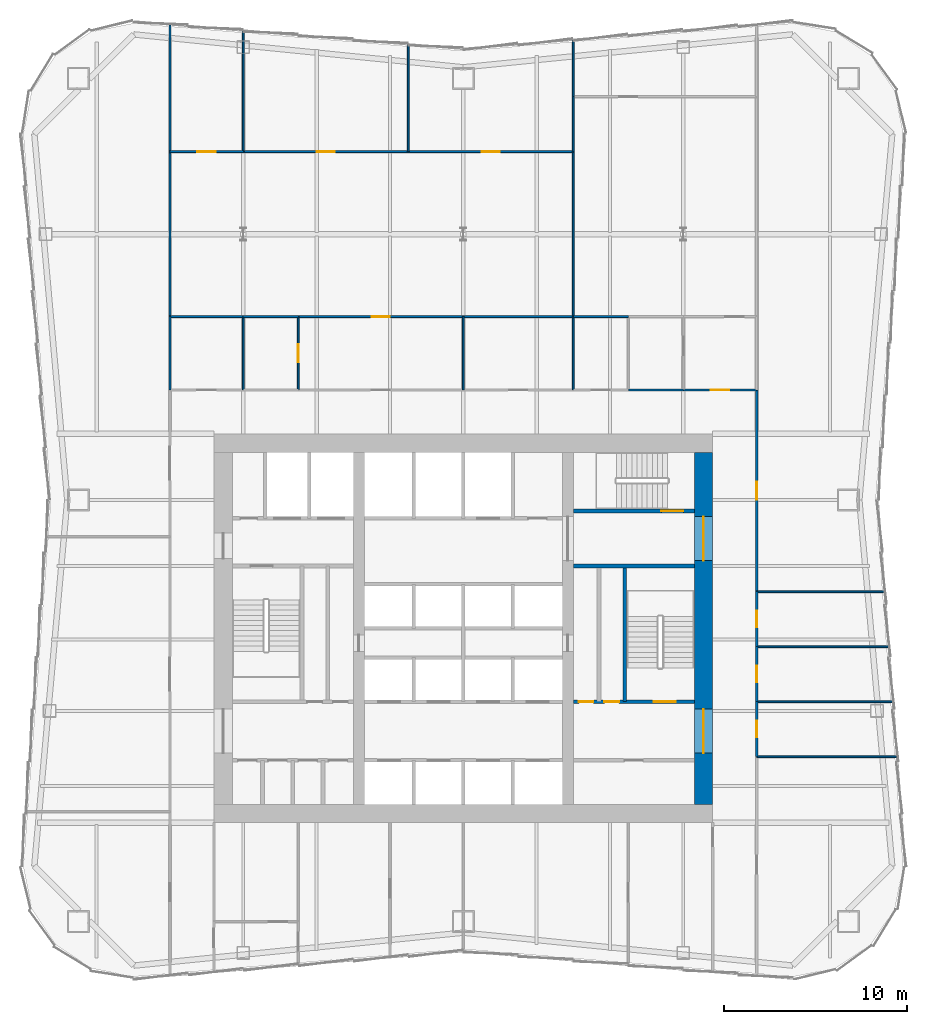
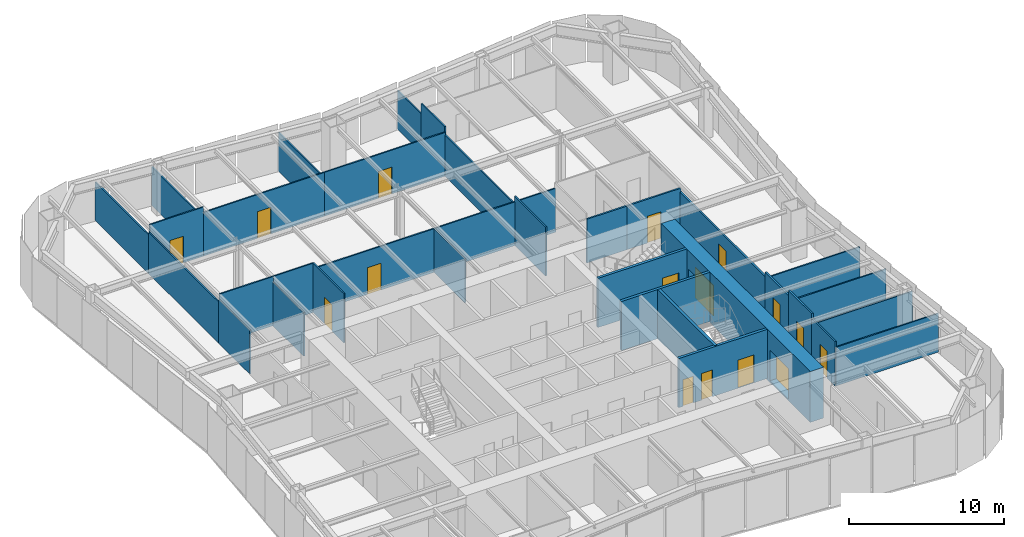
# One storey, part 6 of 8: 35 walls, 16 doors, 16 openings.
"""IFC4 building model written with IfcOpenShell, lengths in metres."""

from ifc_helpers import new_model, si_unit, direction, frame, frame_2d, origin, place, context, subcontext, project, spatial, rectangle, extrude, material, layer, layer_set, type_object, element, fill, save


model = new_model("IFC4")

# Units and contexts
model_context = context("Model", 3, precision=1e-05, world=origin(), true_north=direction((0.0, 1.0)))
body_context = subcontext(model_context, "Body", "Model", "MODEL_VIEW")
ifc_project = project(units=[si_unit("LENGTHUNIT", "METRE"), si_unit("AREAUNIT", "SQUARE_METRE"), si_unit("VOLUMEUNIT", "CUBIC_METRE"), si_unit("PLANEANGLEUNIT", "RADIAN"), si_unit("MASSUNIT", "GRAM", prefix="KILO")], contexts=[model_context])

# Site, building, storey
site_placement = place(None, origin())
site = spatial("IfcSite", under=ifc_project, at=site_placement, CompositionType="ELEMENT")
building_placement = place(site_placement, origin())
building = spatial("IfcBuilding", under=site, at=building_placement, Name="Verdant Reach Tower", CompositionType="ELEMENT")
storey_placement = place(building_placement, frame((0.0, 0.0, 146.0)))
storey = spatial("IfcBuildingStorey", under=building, at=storey_placement, Name="L33", CompositionType="ELEMENT", Elevation=146.0)

# Wall, openings, doors
ifc_material_1 = material(Name="Concrete C40/50", Category="concrete")
ifc_layer_1 = layer(ifc_material_1, 0.199951171875)
ifc_layer_set_1 = layer_set([ifc_layer_1], Name="CO-WALL-STAIR")
wall_type_1 = type_object("IfcWallType", Name="CO-WALL-STAIR", PredefinedType="PARTITIONING", material=ifc_layer_set_1)
wall_1_placement = place(storey_placement, frame((6.0, 24.0, 0.0), z_axis=(0.0, 0.0, 1.0), x_axis=(1.0, 0.0, 0.0)))
wall_1 = element("IfcWall", 1, at=wall_1_placement, inside=storey, type_object=wall_type_1, Name="Stair enclosure wall, L33", PredefinedType="PARTITIONING", context=body_context, shape_type="SweptSolid", body=[
    extrude(rectangle(XDim=6.60009765625, YDim=0.199951171875, at=frame_2d((3.300048828125, 0.0))), origin(), (0.0, 0.0, 1.0), 3.8701171875),
])
opening_1_placement = place(wall_1_placement, frame((0.300048828125, 0.0, 0.0)))
opening_1 = element("IfcOpeningElement", 2, at=opening_1_placement, cuts=wall_1, Name="Opening CDN", PredefinedType="OPENING", context=body_context, shape_type="SweptSolid", body=[
    extrude(rectangle(XDim=0.800048828125, YDim=2.10009765625, at=frame_2d((0.39990234375, 1.050048828125))), frame((0.0, 0.10986328125, 0.0), z_axis=(0.0, -1.0, 0.0), x_axis=(1.0, 0.0, 0.0)), (0.0, 0.0, 1.0), 0.219970703125),
])
opening_2_placement = place(wall_1_placement, frame((1.699951171875, 0.0, 0.0)))
opening_2 = element("IfcOpeningElement", 3, at=opening_2_placement, cuts=wall_1, Name="Opening CDN", PredefinedType="OPENING", context=body_context, shape_type="SweptSolid", body=[
    extrude(rectangle(XDim=0.800048828125, YDim=2.10009765625, at=frame_2d((0.39990234375, 1.050048828125))), frame((0.0, 0.10986328125, 0.0), z_axis=(0.0, -1.0, 0.0), x_axis=(1.0, 0.0, 0.0)), (0.0, 0.0, 1.0), 0.219970703125),
])
opening_3_placement = place(wall_1_placement, frame((4.39990234375, 0.0, 0.0)))
opening_3 = element("IfcOpeningElement", 4, at=opening_3_placement, cuts=wall_1, Name="Opening SD", PredefinedType="OPENING", context=body_context, shape_type="SweptSolid", body=[
    extrude(rectangle(XDim=1.199951171875, YDim=2.199951171875, at=frame_2d((0.60009765625, 1.10009765625))), frame((0.0, 0.10986328125, 0.0), z_axis=(0.0, -1.0, 0.0), x_axis=(1.0, 0.0, 0.0)), (0.0, 0.0, 1.0), 0.219970703125),
])
ifc_material_2 = material(Name="Timber", Category="wood")
door_type_1 = type_object("IfcDoorType", Name="CO-DOOR-ROOM-NARROW", OperationType="NOTDEFINED", PredefinedType="DOOR", material=ifc_material_2)
door_1_placement = place(opening_1_placement, origin())
door_1 = element("IfcDoor", 5, at=door_1_placement, inside=storey, type_object=door_type_1, Name="Core room door, L33", OperationType="SINGLE_SWING_RIGHT", OverallHeight=2.10009765625, OverallWidth=0.800048828125, PredefinedType="DOOR", context=body_context, shape_type="SweptSolid", body=[
    extrude(rectangle(XDim=0.800048828125, YDim=2.10009765625, at=frame_2d((0.39990234375, 1.050048828125))), frame((0.0, 0.02490234375, 0.0), z_axis=(0.0, -1.0, 0.0), x_axis=(1.0, 0.0, 0.0)), (0.0, 0.0, 1.0), 0.050048828125),
])
fill(opening_1, door_1)
door_2_placement = place(opening_2_placement, origin())
door_2 = element("IfcDoor", 6, at=door_2_placement, inside=storey, type_object=door_type_1, Name="Core room door, L33", OperationType="SINGLE_SWING_LEFT", OverallHeight=2.10009765625, OverallWidth=0.800048828125, PredefinedType="DOOR", context=body_context, shape_type="SweptSolid", body=[
    extrude(rectangle(XDim=0.800048828125, YDim=2.10009765625, at=frame_2d((0.39990234375, 1.050048828125))), frame((0.0, 0.02490234375, 0.0), z_axis=(0.0, -1.0, 0.0), x_axis=(1.0, 0.0, 0.0)), (0.0, 0.0, 1.0), 0.050048828125),
])
fill(opening_2, door_2)
ifc_material_3 = material(Name="Steel", Category="steel")
door_type_2 = type_object("IfcDoorType", Name="CO-DOOR-STAIR", OperationType="NOTDEFINED", PredefinedType="DOOR", material=ifc_material_3)
door_3_placement = place(opening_3_placement, origin())
door_3 = element("IfcDoor", 7, at=door_3_placement, inside=storey, type_object=door_type_2, Name="Stair door, L33", OperationType="SINGLE_SWING_LEFT", OverallHeight=2.199951171875, OverallWidth=1.199951171875, PredefinedType="DOOR", context=body_context, shape_type="SweptSolid", body=[
    extrude(rectangle(XDim=1.199951171875, YDim=2.199951171875, at=frame_2d((0.60009765625, 1.10009765625))), frame((0.0, 0.02490234375, 0.0), z_axis=(0.0, -1.0, 0.0), x_axis=(1.0, 0.0, 0.0)), (0.0, 0.0, 1.0), 0.050048828125),
])
fill(opening_3, door_3)

# Wall
wall_2_placement = place(storey_placement, frame((6.0, 31.39990234375, 0.0), z_axis=(0.0, 0.0, 1.0), x_axis=(1.0, 0.0, 0.0)))
element("IfcWall", 8, at=wall_2_placement, inside=storey, type_object=wall_type_1, Name="Stair enclosure wall, L33", PredefinedType="PARTITIONING", context=body_context, shape_type="SweptSolid", body=[
    extrude(rectangle(XDim=6.60009765625, YDim=0.199951171875, at=frame_2d((3.300048828125, 0.0))), origin(), (0.0, 0.0, 1.0), 3.8701171875),
])

# Wall, opening, door
wall_3_placement = place(storey_placement, frame((6.0, 34.39990234375, 0.0), z_axis=(0.0, 0.0, 1.0), x_axis=(1.0, 0.0, 0.0)))
wall_3 = element("IfcWall", 9, at=wall_3_placement, inside=storey, type_object=wall_type_1, Name="Stair enclosure wall, L33", PredefinedType="PARTITIONING", context=body_context, shape_type="SweptSolid", body=[
    extrude(rectangle(XDim=6.60009765625, YDim=0.199951171875, at=frame_2d((3.300048828125, 0.0))), origin(), (0.0, 0.0, 1.0), 3.8701171875),
])
opening_4_placement = place(wall_3_placement, frame((4.800048828125, 0.0, 0.0)))
opening_4 = element("IfcOpeningElement", 10, at=opening_4_placement, cuts=wall_3, Name="Opening SD", PredefinedType="OPENING", context=body_context, shape_type="SweptSolid", body=[
    extrude(rectangle(XDim=1.199951171875, YDim=2.199951171875, at=frame_2d((0.60009765625, 1.10009765625))), frame((0.0, 0.10986328125, 0.0), z_axis=(0.0, -1.0, 0.0), x_axis=(1.0, 0.0, 0.0)), (0.0, 0.0, 1.0), 0.219970703125),
])
door_4_placement = place(opening_4_placement, origin())
door_4 = element("IfcDoor", 11, at=door_4_placement, inside=storey, type_object=door_type_2, Name="Stair door, L33", OperationType="SINGLE_SWING_RIGHT", OverallHeight=2.199951171875, OverallWidth=1.199951171875, PredefinedType="DOOR", context=body_context, shape_type="SweptSolid", body=[
    extrude(rectangle(XDim=1.199951171875, YDim=2.199951171875, at=frame_2d((0.60009765625, 1.10009765625))), frame((0.0, 0.02490234375, 0.0), z_axis=(0.0, -1.0, 0.0), x_axis=(1.0, 0.0, 0.0)), (0.0, 0.0, 1.0), 0.050048828125),
])
fill(opening_4, door_4)

# Walls
wall_4_placement = place(storey_placement, frame((8.800048828125, 24.0, 0.0), z_axis=(0.0, 0.0, 1.0), x_axis=(0.0, 1.0, 0.0)))
element("IfcWall", 12, at=wall_4_placement, inside=storey, type_object=wall_type_1, Name="Stair enclosure wall, L33", PredefinedType="PARTITIONING", context=body_context, shape_type="SweptSolid", body=[
    extrude(rectangle(XDim=7.39990234375, YDim=0.199951171875, at=frame_2d((3.699951171875, 0.0))), origin(), (0.0, 0.0, 1.0), 3.8701171875),
])
ifc_material_4 = material(Name="Gypsum board on steel studs", Category="steel")
ifc_layer_2 = layer(ifc_material_4, 0.10009765625)
ifc_layer_set_2 = layer_set([ifc_layer_2], Name="FL-W1 Partition 100")
wall_type_2 = type_object("IfcWallType", Name="FL-W1 Partition 100", PredefinedType="PARTITIONING", material=ifc_layer_set_2)
wall_5_placement = place(storey_placement, frame((-16.0, 41.0, 0.0), z_axis=(0.0, 0.0, 1.0), x_axis=(0.0, 1.0, 0.0)))
element("IfcWall", 13, at=wall_5_placement, inside=storey, type_object=wall_type_2, Name="Partition 33.21", PredefinedType="PARTITIONING", context=body_context, shape_type="SweptSolid", body=[
    extrude(rectangle(XDim=4.0, YDim=0.10009765625, at=frame_2d((2.0, 0.0))), origin(), (0.0, 0.0, 1.0), 3.43994140625),
])
wall_6_placement = place(storey_placement, frame((-16.0, 45.0, 0.0), z_axis=(0.0, 0.0, 1.0), x_axis=(0.0, 1.0, 0.0)))
element("IfcWall", 14, at=wall_6_placement, inside=storey, type_object=wall_type_2, Name="Partition 33.22", PredefinedType="PARTITIONING", context=body_context, shape_type="SweptSolid", body=[
    extrude(rectangle(XDim=9.0, YDim=0.10009765625, at=frame_2d((4.5, 0.0))), origin(), (0.0, 0.0, 1.0), 3.239990234375),
])
wall_7_placement = place(storey_placement, frame((-16.0, 54.0, 0.0), z_axis=(0.0, 0.0, 1.0), x_axis=(0.0, 1.0, 0.0)))
element("IfcWall", 15, at=wall_7_placement, inside=storey, type_object=wall_type_2, Name="Partition 33.23", PredefinedType="PARTITIONING", context=body_context, shape_type="SweptSolid", body=[
    extrude(rectangle(XDim=6.913330078125, YDim=0.10009765625, at=frame_2d((3.45654296875, 0.0))), origin(), (0.0, 0.0, 1.0), 3.0400390625),
])
wall_8_placement = place(storey_placement, frame((23.6298828125, 21.0, 0.0), z_axis=(0.0, 0.0, 1.0), x_axis=(-1.0, 0.0, 0.0)))
element("IfcWall", 16, at=wall_8_placement, inside=storey, type_object=wall_type_2, Name="Partition 33.24", PredefinedType="PARTITIONING", context=body_context, shape_type="SweptSolid", body=[
    extrude(rectangle(XDim=7.6298828125, YDim=0.10009765625, at=frame_2d((3.81494140625, 0.0))), origin(), (0.0, 0.0, 1.0), 3.0400390625),
])
wall_9_placement = place(storey_placement, frame((23.405029296875, 24.0, 0.0), z_axis=(0.0, 0.0, 1.0), x_axis=(-1.0, 0.0, 0.0)))
element("IfcWall", 17, at=wall_9_placement, inside=storey, type_object=wall_type_2, Name="Partition 33.25", PredefinedType="PARTITIONING", context=body_context, shape_type="SweptSolid", body=[
    extrude(rectangle(XDim=7.405029296875, YDim=0.10009765625, at=frame_2d((3.70263671875, 0.0))), origin(), (0.0, 0.0, 1.0), 3.0400390625),
])
wall_10_placement = place(storey_placement, frame((23.179931640625, 27.0, 0.0), z_axis=(0.0, 0.0, 1.0), x_axis=(-1.0, 0.0, 0.0)))
element("IfcWall", 18, at=wall_10_placement, inside=storey, type_object=wall_type_2, Name="Partition 33.26", PredefinedType="PARTITIONING", context=body_context, shape_type="SweptSolid", body=[
    extrude(rectangle(XDim=7.179931640625, YDim=0.10009765625, at=frame_2d((3.58984375, 0.0))), origin(), (0.0, 0.0, 1.0), 3.0400390625),
])
wall_11_placement = place(storey_placement, frame((22.955078125, 30.0, 0.0), z_axis=(0.0, 0.0, 1.0), x_axis=(-1.0, 0.0, 0.0)))
element("IfcWall", 19, at=wall_11_placement, inside=storey, type_object=wall_type_2, Name="Partition 33.27", PredefinedType="PARTITIONING", context=body_context, shape_type="SweptSolid", body=[
    extrude(rectangle(XDim=6.955078125, YDim=0.10009765625, at=frame_2d((3.4775390625, 0.0))), origin(), (0.0, 0.0, 1.0), 3.0400390625),
])
wall_12_placement = place(storey_placement, frame((-12.0, 41.0, 0.0), z_axis=(0.0, 0.0, 1.0), x_axis=(0.0, 1.0, 0.0)))
element("IfcWall", 20, at=wall_12_placement, inside=storey, type_object=wall_type_2, Name="Partition 33.37", PredefinedType="PARTITIONING", context=body_context, shape_type="SweptSolid", body=[
    extrude(rectangle(XDim=4.0, YDim=0.10009765625, at=frame_2d((2.0, 0.0))), origin(), (0.0, 0.0, 1.0), 3.43994140625),
])
wall_13_placement = place(storey_placement, frame((-11.99609375, 45.0, 0.0), z_axis=(0.0, 0.0, 1.0), x_axis=(-1.0, 0.0, 0.0)))
element("IfcWall", 21, at=wall_13_placement, inside=storey, type_object=wall_type_2, Name="Partition 33.38", PredefinedType="PARTITIONING", context=body_context, shape_type="SweptSolid", body=[
    extrude(rectangle(XDim=4.00390625, YDim=0.10009765625, at=frame_2d((2.001953125, 0.0))), origin(), (0.0, 0.0, 1.0), 3.8701171875),
])

# Wall, opening, door
wall_14_placement = place(storey_placement, frame((-9.0, 41.0, 0.0), z_axis=(0.0, 0.0, 1.0), x_axis=(0.0, 1.0, 0.0)))
wall_14 = element("IfcWall", 22, at=wall_14_placement, inside=storey, type_object=wall_type_2, Name="Partition 33.39", PredefinedType="PARTITIONING", context=body_context, shape_type="SweptSolid", body=[
    extrude(rectangle(XDim=4.0, YDim=0.10009765625, at=frame_2d((2.0, 0.0))), origin(), (0.0, 0.0, 1.0), 3.8701171875),
])
opening_5_placement = place(wall_14_placement, frame((1.5, 0.0, 0.0)))
opening_5 = element("IfcOpeningElement", 23, at=opening_5_placement, cuts=wall_14, Name="Opening D3", PredefinedType="OPENING", context=body_context, shape_type="SweptSolid", body=[
    extrude(rectangle(XDim=1.0, YDim=2.10009765625, at=frame_2d((0.5, 1.050048828125))), frame((0.0, 0.06005859375, 0.0), z_axis=(0.0, -1.0, 0.0), x_axis=(1.0, 0.0, 0.0)), (0.0, 0.0, 1.0), 0.1201171875),
])
ifc_material_5 = material(Name="Painted timber door leaf", Category="wood")
door_type_3 = type_object("IfcDoorType", Name="FL-D3 Door 1000x2100", OperationType="NOTDEFINED", PredefinedType="DOOR", material=ifc_material_5)
door_5_placement = place(opening_5_placement, origin())
door_5 = element("IfcDoor", 24, at=door_5_placement, inside=storey, type_object=door_type_3, Name="Door 33-020", OperationType="SINGLE_SWING_RIGHT", OverallHeight=2.10009765625, OverallWidth=1.0, PredefinedType="DOOR", context=body_context, shape_type="SweptSolid", body=[
    extrude(rectangle(XDim=1.0, YDim=2.10009765625, at=frame_2d((0.5, 1.050048828125))), frame((0.0, 0.02490234375, 0.0), z_axis=(0.0, -1.0, 0.0), x_axis=(1.0, 0.0, 0.0)), (0.0, 0.0, 1.0), 0.050048828125),
])
fill(opening_5, door_5)

# Walls
wall_15_placement = place(storey_placement, frame((-8.99609375, 45.0, 0.0), z_axis=(0.0, 0.0, 1.0), x_axis=(-1.0, 0.0, 0.0)))
element("IfcWall", 25, at=wall_15_placement, inside=storey, type_object=wall_type_2, Name="Partition 33.40", PredefinedType="PARTITIONING", context=body_context, shape_type="SweptSolid", body=[
    extrude(rectangle(XDim=3.0078125, YDim=0.10009765625, at=frame_2d((1.50390625, 0.0))), origin(), (0.0, 0.0, 1.0), 3.8701171875),
])
wall_16_placement = place(storey_placement, frame((0.0, 41.0, 0.0), z_axis=(0.0, 0.0, 1.0), x_axis=(0.0, 1.0, 0.0)))
element("IfcWall", 26, at=wall_16_placement, inside=storey, type_object=wall_type_2, Name="Partition 33.41", PredefinedType="PARTITIONING", context=body_context, shape_type="SweptSolid", body=[
    extrude(rectangle(XDim=4.0, YDim=0.10009765625, at=frame_2d((2.0, 0.0))), origin(), (0.0, 0.0, 1.0), 3.43994140625),
])

# Wall, opening, door
wall_17_placement = place(storey_placement, frame((-9.00390625, 45.0, 0.0), z_axis=(0.0, 0.0, 1.0), x_axis=(1.0, 0.0, 0.0)))
wall_17 = element("IfcWall", 27, at=wall_17_placement, inside=storey, type_object=wall_type_2, Name="Partition 33.42", PredefinedType="PARTITIONING", context=body_context, shape_type="SweptSolid", body=[
    extrude(rectangle(XDim=9.0078125, YDim=0.10009765625, at=frame_2d((4.50390625, 0.0))), origin(), (0.0, 0.0, 1.0), 3.43994140625),
])
opening_6_placement = place(wall_17_placement, frame((4.00390625, 0.0, 0.0)))
opening_6 = element("IfcOpeningElement", 28, at=opening_6_placement, cuts=wall_17, Name="Opening D3", PredefinedType="OPENING", context=body_context, shape_type="SweptSolid", body=[
    extrude(rectangle(XDim=1.0, YDim=2.10009765625, at=frame_2d((0.5, 1.050048828125))), frame((0.0, 0.06005859375, 0.0), z_axis=(0.0, -1.0, 0.0), x_axis=(1.0, 0.0, 0.0)), (0.0, 0.0, 1.0), 0.1201171875),
])
door_6_placement = place(opening_6_placement, origin())
door_6 = element("IfcDoor", 29, at=door_6_placement, inside=storey, type_object=door_type_3, Name="Door 33-021", OperationType="SINGLE_SWING_LEFT", OverallHeight=2.10009765625, OverallWidth=1.0, PredefinedType="DOOR", context=body_context, shape_type="SweptSolid", body=[
    extrude(rectangle(XDim=1.0, YDim=2.10009765625, at=frame_2d((0.5, 1.050048828125))), frame((0.0, 0.02490234375, 0.0), z_axis=(0.0, -1.0, 0.0), x_axis=(1.0, 0.0, 0.0)), (0.0, 0.0, 1.0), 0.050048828125),
])
fill(opening_6, door_6)

# Walls
wall_18_placement = place(storey_placement, frame((6.0, 45.0, 0.0), z_axis=(0.0, 0.0, 1.0), x_axis=(-1.0, 0.0, 0.0)))
element("IfcWall", 30, at=wall_18_placement, inside=storey, type_object=wall_type_2, Name="Partition 33.43", PredefinedType="PARTITIONING", context=body_context, shape_type="SweptSolid", body=[
    extrude(rectangle(XDim=6.00390625, YDim=0.10009765625, at=frame_2d((3.001953125, 0.0))), origin(), (0.0, 0.0, 1.0), 3.43994140625),
])
wall_19_placement = place(storey_placement, frame((6.0, 41.0, 0.0), z_axis=(0.0, 0.0, 1.0), x_axis=(0.0, 1.0, 0.0)))
element("IfcWall", 31, at=wall_19_placement, inside=storey, type_object=wall_type_2, Name="Partition 33.44", PredefinedType="PARTITIONING", context=body_context, shape_type="SweptSolid", body=[
    extrude(rectangle(XDim=4.0, YDim=0.10009765625, at=frame_2d((2.0, 0.0))), origin(), (0.0, 0.0, 1.0), 3.8701171875),
])

# Wall, opening, door
wall_20_placement = place(storey_placement, frame((-16.0, 54.0, 0.0), z_axis=(0.0, 0.0, 1.0), x_axis=(1.0, 0.0, 0.0)))
wall_20 = element("IfcWall", 32, at=wall_20_placement, inside=storey, type_object=wall_type_2, Name="Partition 33.45", PredefinedType="PARTITIONING", context=body_context, shape_type="SweptSolid", body=[
    extrude(rectangle(XDim=4.0, YDim=0.10009765625, at=frame_2d((2.0, 0.0))), origin(), (0.0, 0.0, 1.0), 3.8701171875),
])
opening_7_placement = place(wall_20_placement, frame((1.5, 0.0, 0.0)))
opening_7 = element("IfcOpeningElement", 33, at=opening_7_placement, cuts=wall_20, Name="Opening D3", PredefinedType="OPENING", context=body_context, shape_type="SweptSolid", body=[
    extrude(rectangle(XDim=1.0, YDim=2.10009765625, at=frame_2d((0.5, 1.050048828125))), frame((0.0, 0.06005859375, 0.0), z_axis=(0.0, -1.0, 0.0), x_axis=(1.0, 0.0, 0.0)), (0.0, 0.0, 1.0), 0.1201171875),
])
door_7_placement = place(opening_7_placement, origin())
door_7 = element("IfcDoor", 34, at=door_7_placement, inside=storey, type_object=door_type_3, Name="Door 33-022", OperationType="SINGLE_SWING_RIGHT", OverallHeight=2.10009765625, OverallWidth=1.0, PredefinedType="DOOR", context=body_context, shape_type="SweptSolid", body=[
    extrude(rectangle(XDim=1.0, YDim=2.10009765625, at=frame_2d((0.5, 1.050048828125))), frame((0.0, 0.02490234375, 0.0), z_axis=(0.0, -1.0, 0.0), x_axis=(1.0, 0.0, 0.0)), (0.0, 0.0, 1.0), 0.050048828125),
])
fill(opening_7, door_7)

wall_21_placement = place(storey_placement, frame((-12.0, 54.0, 0.0), z_axis=(0.0, 0.0, 1.0), x_axis=(1.0, 0.0, 0.0)))
wall_21 = element("IfcWall", 35, at=wall_21_placement, inside=storey, type_object=wall_type_2, Name="Partition 33.46", PredefinedType="PARTITIONING", context=body_context, shape_type="SweptSolid", body=[
    extrude(rectangle(XDim=9.0, YDim=0.10009765625, at=frame_2d((4.5, 0.0))), origin(), (0.0, 0.0, 1.0), 3.43994140625),
])
opening_8_placement = place(wall_21_placement, frame((4.0, 0.0, 0.0)))
opening_8 = element("IfcOpeningElement", 36, at=opening_8_placement, cuts=wall_21, Name="Opening D3", PredefinedType="OPENING", context=body_context, shape_type="SweptSolid", body=[
    extrude(rectangle(XDim=1.0, YDim=2.10009765625, at=frame_2d((0.5, 1.050048828125))), frame((0.0, 0.06005859375, 0.0), z_axis=(0.0, -1.0, 0.0), x_axis=(1.0, 0.0, 0.0)), (0.0, 0.0, 1.0), 0.1201171875),
])
door_8_placement = place(opening_8_placement, origin())
door_8 = element("IfcDoor", 37, at=door_8_placement, inside=storey, type_object=door_type_3, Name="Door 33-023", OperationType="SINGLE_SWING_LEFT", OverallHeight=2.10009765625, OverallWidth=1.0, PredefinedType="DOOR", context=body_context, shape_type="SweptSolid", body=[
    extrude(rectangle(XDim=1.0, YDim=2.10009765625, at=frame_2d((0.5, 1.050048828125))), frame((0.0, 0.02490234375, 0.0), z_axis=(0.0, -1.0, 0.0), x_axis=(1.0, 0.0, 0.0)), (0.0, 0.0, 1.0), 0.050048828125),
])
fill(opening_8, door_8)

wall_22_placement = place(storey_placement, frame((-3.0, 54.0, 0.0), z_axis=(0.0, 0.0, 1.0), x_axis=(1.0, 0.0, 0.0)))
wall_22 = element("IfcWall", 38, at=wall_22_placement, inside=storey, type_object=wall_type_2, Name="Partition 33.47", PredefinedType="PARTITIONING", context=body_context, shape_type="SweptSolid", body=[
    extrude(rectangle(XDim=9.0, YDim=0.10009765625, at=frame_2d((4.5, 0.0))), origin(), (0.0, 0.0, 1.0), 3.43994140625),
])
opening_9_placement = place(wall_22_placement, frame((4.0, 0.0, 0.0)))
opening_9 = element("IfcOpeningElement", 39, at=opening_9_placement, cuts=wall_22, Name="Opening D3", PredefinedType="OPENING", context=body_context, shape_type="SweptSolid", body=[
    extrude(rectangle(XDim=1.0, YDim=2.10009765625, at=frame_2d((0.5, 1.050048828125))), frame((0.0, 0.06005859375, 0.0), z_axis=(0.0, -1.0, 0.0), x_axis=(1.0, 0.0, 0.0)), (0.0, 0.0, 1.0), 0.1201171875),
])
door_9_placement = place(opening_9_placement, origin())
door_9 = element("IfcDoor", 40, at=door_9_placement, inside=storey, type_object=door_type_3, Name="Door 33-024", OperationType="SINGLE_SWING_RIGHT", OverallHeight=2.10009765625, OverallWidth=1.0, PredefinedType="DOOR", context=body_context, shape_type="SweptSolid", body=[
    extrude(rectangle(XDim=1.0, YDim=2.10009765625, at=frame_2d((0.5, 1.050048828125))), frame((0.0, 0.02490234375, 0.0), z_axis=(0.0, -1.0, 0.0), x_axis=(1.0, 0.0, 0.0)), (0.0, 0.0, 1.0), 0.050048828125),
])
fill(opening_9, door_9)

# Walls
wall_23_placement = place(storey_placement, frame((6.0, 45.0, 0.0), z_axis=(0.0, 0.0, 1.0), x_axis=(0.0, 1.0, 0.0)))
element("IfcWall", 41, at=wall_23_placement, inside=storey, type_object=wall_type_2, Name="Partition 33.48", PredefinedType="PARTITIONING", context=body_context, shape_type="SweptSolid", body=[
    extrude(rectangle(XDim=9.00390625, YDim=0.10009765625, at=frame_2d((4.501953125, 0.0))), origin(), (0.0, 0.0, 1.0), 3.239990234375),
])
wall_24_placement = place(storey_placement, frame((-12.0, 54.0, 0.0), z_axis=(0.0, 0.0, 1.0), x_axis=(0.0, 1.0, 0.0)))
element("IfcWall", 42, at=wall_24_placement, inside=storey, type_object=wall_type_2, Name="Partition 33.49", PredefinedType="PARTITIONING", context=body_context, shape_type="SweptSolid", body=[
    extrude(rectangle(XDim=6.580078125, YDim=0.10009765625, at=frame_2d((3.2900390625, 0.0))), origin(), (0.0, 0.0, 1.0), 3.0400390625),
])
wall_25_placement = place(storey_placement, frame((-3.0, 54.0, 0.0), z_axis=(0.0, 0.0, 1.0), x_axis=(0.0, 1.0, 0.0)))
element("IfcWall", 43, at=wall_25_placement, inside=storey, type_object=wall_type_2, Name="Partition 33.50", PredefinedType="PARTITIONING", context=body_context, shape_type="SweptSolid", body=[
    extrude(rectangle(XDim=5.830078125, YDim=0.10009765625, at=frame_2d((2.9150390625, 0.0))), origin(), (0.0, 0.0, 1.0), 3.0400390625),
])
wall_26_placement = place(storey_placement, frame((6.0, 53.99609375, 0.0), z_axis=(0.0, 0.0, 1.0), x_axis=(0.0, 1.0, 0.0)))
element("IfcWall", 44, at=wall_26_placement, inside=storey, type_object=wall_type_2, Name="Partition 33.51", PredefinedType="PARTITIONING", context=body_context, shape_type="SweptSolid", body=[
    extrude(rectangle(XDim=3.00390625, YDim=0.10009765625, at=frame_2d((1.501953125, 0.0))), origin(), (0.0, 0.0, 1.0), 3.8701171875),
])
wall_27_placement = place(storey_placement, frame((6.0, 57.0, 0.0), z_axis=(0.0, 0.0, 1.0), x_axis=(0.0, 1.0, 0.0)))
element("IfcWall", 45, at=wall_27_placement, inside=storey, type_object=wall_type_2, Name="Partition 33.52", PredefinedType="PARTITIONING", context=body_context, shape_type="SweptSolid", body=[
    extrude(rectangle(XDim=3.080078125, YDim=0.10009765625, at=frame_2d((1.5400390625, 0.0))), origin(), (0.0, 0.0, 1.0), 3.0400390625),
])
wall_28_placement = place(storey_placement, frame((9.00390625, 45.0, 0.0), z_axis=(0.0, 0.0, 1.0), x_axis=(-1.0, 0.0, 0.0)))
element("IfcWall", 46, at=wall_28_placement, inside=storey, type_object=wall_type_2, Name="Partition 33.54", PredefinedType="PARTITIONING", context=body_context, shape_type="SweptSolid", body=[
    extrude(rectangle(XDim=3.00390625, YDim=0.10009765625, at=frame_2d((1.501953125, 0.0))), origin(), (0.0, 0.0, 1.0), 3.43994140625),
])

# Wall, opening, door
ifc_material_6 = material(Name="Gypsum board on steel studs, fire rated", Category="steel")
ifc_layer_3 = layer(ifc_material_6, 0.125)
ifc_layer_set_3 = layer_set([ifc_layer_3], Name="FL-W2 Corridor wall 125")
wall_type_3 = type_object("IfcWallType", Name="FL-W2 Corridor wall 125", PredefinedType="PARTITIONING", material=ifc_layer_set_3)
wall_29_placement = place(storey_placement, frame((16.0, 24.0, 0.0), z_axis=(0.0, 0.0, 1.0), x_axis=(0.0, -1.0, 0.0)))
wall_29 = element("IfcWall", 47, at=wall_29_placement, inside=storey, type_object=wall_type_3, Name="Partition 33.05", PredefinedType="PARTITIONING", context=body_context, shape_type="SweptSolid", body=[
    extrude(rectangle(XDim=3.0, YDim=0.125, at=frame_2d((1.5, 0.0))), origin(), (0.0, 0.0, 1.0), 3.47998046875),
])
opening_10_placement = place(wall_29_placement, frame((1.050048828125, 0.0, 0.0)))
opening_10 = element("IfcOpeningElement", 48, at=opening_10_placement, cuts=wall_29, Name="Opening D1", PredefinedType="OPENING", context=body_context, shape_type="SweptSolid", body=[
    extrude(rectangle(XDim=0.89990234375, YDim=2.10009765625, at=frame_2d((0.449951171875, 1.050048828125))), frame((0.0, 0.072509765625, 0.0), z_axis=(0.0, -1.0, 0.0), x_axis=(1.0, 0.0, 0.0)), (0.0, 0.0, 1.0), 0.14501953125),
])
door_type_4 = type_object("IfcDoorType", Name="FL-D1 Door 900x2100", OperationType="NOTDEFINED", PredefinedType="DOOR", material=ifc_material_5)
door_10_placement = place(opening_10_placement, origin())
door_10 = element("IfcDoor", 49, at=door_10_placement, inside=storey, type_object=door_type_4, Name="Door 33-005", OperationType="SINGLE_SWING_LEFT", OverallHeight=2.10009765625, OverallWidth=0.89990234375, PredefinedType="DOOR", context=body_context, shape_type="SweptSolid", body=[
    extrude(rectangle(XDim=0.89990234375, YDim=2.10009765625, at=frame_2d((0.449951171875, 1.050048828125))), frame((0.0, 0.02490234375, 0.0), z_axis=(0.0, -1.0, 0.0), x_axis=(1.0, 0.0, 0.0)), (0.0, 0.0, 1.0), 0.050048828125),
])
fill(opening_10, door_10)

wall_30_placement = place(storey_placement, frame((16.0, 27.0, 0.0), z_axis=(0.0, 0.0, 1.0), x_axis=(0.0, -1.0, 0.0)))
wall_30 = element("IfcWall", 50, at=wall_30_placement, inside=storey, type_object=wall_type_3, Name="Partition 33.06", PredefinedType="PARTITIONING", context=body_context, shape_type="SweptSolid", body=[
    extrude(rectangle(XDim=3.0, YDim=0.125, at=frame_2d((1.5, 0.0))), origin(), (0.0, 0.0, 1.0), 3.8701171875),
])
opening_11_placement = place(wall_30_placement, frame((1.050048828125, 0.0, 0.0)))
opening_11 = element("IfcOpeningElement", 51, at=opening_11_placement, cuts=wall_30, Name="Opening D1", PredefinedType="OPENING", context=body_context, shape_type="SweptSolid", body=[
    extrude(rectangle(XDim=0.89990234375, YDim=2.10009765625, at=frame_2d((0.449951171875, 1.050048828125))), frame((0.0, 0.072509765625, 0.0), z_axis=(0.0, -1.0, 0.0), x_axis=(1.0, 0.0, 0.0)), (0.0, 0.0, 1.0), 0.14501953125),
])
door_11_placement = place(opening_11_placement, origin())
door_11 = element("IfcDoor", 52, at=door_11_placement, inside=storey, type_object=door_type_4, Name="Door 33-006", OperationType="SINGLE_SWING_RIGHT", OverallHeight=2.10009765625, OverallWidth=0.89990234375, PredefinedType="DOOR", context=body_context, shape_type="SweptSolid", body=[
    extrude(rectangle(XDim=0.89990234375, YDim=2.10009765625, at=frame_2d((0.449951171875, 1.050048828125))), frame((0.0, 0.02490234375, 0.0), z_axis=(0.0, -1.0, 0.0), x_axis=(1.0, 0.0, 0.0)), (0.0, 0.0, 1.0), 0.050048828125),
])
fill(opening_11, door_11)

wall_31_placement = place(storey_placement, frame((16.0, 30.0, 0.0), z_axis=(0.0, 0.0, 1.0), x_axis=(0.0, -1.0, 0.0)))
wall_31 = element("IfcWall", 53, at=wall_31_placement, inside=storey, type_object=wall_type_3, Name="Partition 33.07", PredefinedType="PARTITIONING", context=body_context, shape_type="SweptSolid", body=[
    extrude(rectangle(XDim=3.0, YDim=0.125, at=frame_2d((1.5, 0.0))), origin(), (0.0, 0.0, 1.0), 3.47998046875),
])
opening_12_placement = place(wall_31_placement, frame((1.050048828125, 0.0, 0.0)))
opening_12 = element("IfcOpeningElement", 54, at=opening_12_placement, cuts=wall_31, Name="Opening D1", PredefinedType="OPENING", context=body_context, shape_type="SweptSolid", body=[
    extrude(rectangle(XDim=0.89990234375, YDim=2.10009765625, at=frame_2d((0.449951171875, 1.050048828125))), frame((0.0, 0.072509765625, 0.0), z_axis=(0.0, -1.0, 0.0), x_axis=(1.0, 0.0, 0.0)), (0.0, 0.0, 1.0), 0.14501953125),
])
door_12_placement = place(opening_12_placement, origin())
door_12 = element("IfcDoor", 55, at=door_12_placement, inside=storey, type_object=door_type_4, Name="Door 33-007", OperationType="SINGLE_SWING_LEFT", OverallHeight=2.10009765625, OverallWidth=0.89990234375, PredefinedType="DOOR", context=body_context, shape_type="SweptSolid", body=[
    extrude(rectangle(XDim=0.89990234375, YDim=2.10009765625, at=frame_2d((0.449951171875, 1.050048828125))), frame((0.0, 0.02490234375, 0.0), z_axis=(0.0, -1.0, 0.0), x_axis=(1.0, 0.0, 0.0)), (0.0, 0.0, 1.0), 0.050048828125),
])
fill(opening_12, door_12)

wall_32_placement = place(storey_placement, frame((16.0, 41.00390625, 0.0), z_axis=(0.0, 0.0, 1.0), x_axis=(0.0, -1.0, 0.0)))
wall_32 = element("IfcWall", 56, at=wall_32_placement, inside=storey, type_object=wall_type_3, Name="Partition 33.08", PredefinedType="PARTITIONING", context=body_context, shape_type="SweptSolid", body=[
    extrude(rectangle(XDim=11.00390625, YDim=0.125, at=frame_2d((5.501953125, 0.0))), origin(), (0.0, 0.0, 1.0), 3.139892578125),
])
opening_13_placement = place(wall_32_placement, frame((5.001953125, 0.0, 0.0)))
opening_13 = element("IfcOpeningElement", 57, at=opening_13_placement, cuts=wall_32, Name="Opening D2", PredefinedType="OPENING", context=body_context, shape_type="SweptSolid", body=[
    extrude(rectangle(XDim=1.0, YDim=2.10009765625, at=frame_2d((0.5, 1.050048828125))), frame((0.0, 0.072509765625, 0.0), z_axis=(0.0, -1.0, 0.0), x_axis=(1.0, 0.0, 0.0)), (0.0, 0.0, 1.0), 0.14501953125),
])
ifc_material_7 = material(Name="Timber door leaf, fire rated", Category="wood")
door_type_5 = type_object("IfcDoorType", Name="FL-D2 Entrance door 1000x2100 FD30", OperationType="NOTDEFINED", PredefinedType="DOOR", material=ifc_material_7)
door_13_placement = place(opening_13_placement, origin())
door_13 = element("IfcDoor", 58, at=door_13_placement, inside=storey, type_object=door_type_5, Name="Door 33-008", OperationType="SINGLE_SWING_RIGHT", OverallHeight=2.10009765625, OverallWidth=1.0, PredefinedType="DOOR", context=body_context, shape_type="SweptSolid", body=[
    extrude(rectangle(XDim=1.0, YDim=2.10009765625, at=frame_2d((0.5, 1.050048828125))), frame((0.0, 0.02490234375, 0.0), z_axis=(0.0, -1.0, 0.0), x_axis=(1.0, 0.0, 0.0)), (0.0, 0.0, 1.0), 0.050048828125),
])
fill(opening_13, door_13)

# Wall
wall_33_placement = place(storey_placement, frame((12.0, 41.0, 0.0), z_axis=(0.0, 0.0, 1.0), x_axis=(-1.0, 0.0, 0.0)))
element("IfcWall", 59, at=wall_33_placement, inside=storey, type_object=wall_type_3, Name="Partition 33.17", PredefinedType="PARTITIONING", context=body_context, shape_type="SweptSolid", body=[
    extrude(rectangle(XDim=3.0, YDim=0.125, at=frame_2d((1.5, 0.0))), origin(), (0.0, 0.0, 1.0), 3.43994140625),
])

# Wall, opening, door
wall_34_placement = place(storey_placement, frame((12.0, 41.0, 0.0), z_axis=(0.0, 0.0, 1.0), x_axis=(1.0, 0.0, 0.0)))
wall_34 = element("IfcWall", 60, at=wall_34_placement, inside=storey, type_object=wall_type_3, Name="Partition 33.18", PredefinedType="PARTITIONING", context=body_context, shape_type="SweptSolid", body=[
    extrude(rectangle(XDim=4.0, YDim=0.125, at=frame_2d((2.0, 0.0))), origin(), (0.0, 0.0, 1.0), 3.43994140625),
])
opening_14_placement = place(wall_34_placement, frame((1.5, 0.0, 0.0)))
opening_14 = element("IfcOpeningElement", 61, at=opening_14_placement, cuts=wall_34, Name="Opening D2", PredefinedType="OPENING", context=body_context, shape_type="SweptSolid", body=[
    extrude(rectangle(XDim=1.0, YDim=2.10009765625, at=frame_2d((0.5, 1.050048828125))), frame((0.0, 0.072509765625, 0.0), z_axis=(0.0, -1.0, 0.0), x_axis=(1.0, 0.0, 0.0)), (0.0, 0.0, 1.0), 0.14501953125),
])
door_14_placement = place(opening_14_placement, origin())
door_14 = element("IfcDoor", 62, at=door_14_placement, inside=storey, type_object=door_type_5, Name="Door 33-015", OperationType="SINGLE_SWING_LEFT", OverallHeight=2.10009765625, OverallWidth=1.0, PredefinedType="DOOR", context=body_context, shape_type="SweptSolid", body=[
    extrude(rectangle(XDim=1.0, YDim=2.10009765625, at=frame_2d((0.5, 1.050048828125))), frame((0.0, 0.02490234375, 0.0), z_axis=(0.0, -1.0, 0.0), x_axis=(1.0, 0.0, 0.0)), (0.0, 0.0, 1.0), 0.050048828125),
])
fill(opening_14, door_14)

# Wall, openings, doors
ifc_material_8 = material(Name="Concrete C70/85", Category="concrete")
ifc_layer_4 = layer(ifc_material_8, 1.0)
ifc_layer_set_4 = layer_set([ifc_layer_4], Name="ST-CORE-WALL-1000")
wall_type_4 = type_object("IfcWallType", Name="ST-CORE-WALL-1000", PredefinedType="SHEAR", material=ifc_layer_set_4)
wall_35_placement = place(storey_placement, frame((13.10009765625, 18.39990234375, -0.1298828125), z_axis=(0.0, 0.0, 1.0), x_axis=(0.0, 1.0, 0.0)))
wall_35 = element("IfcWall", 63, at=wall_35_placement, inside=storey, type_object=wall_type_4, Name="Core wall E, L33", PredefinedType="SHEAR", context=body_context, shape_type="SweptSolid", body=[
    extrude(rectangle(XDim=19.2001953125, YDim=1.0, at=frame_2d((9.60009765625, 0.0))), origin(), (0.0, 0.0, 1.0), 4.0),
])
opening_15_placement = place(wall_35_placement, frame((2.800048828125, 0.0, 0.1298828125)))
opening_15 = element("IfcOpeningElement", 64, at=opening_15_placement, cuts=wall_35, Name="Opening LB", PredefinedType="OPENING", context=body_context, shape_type="SweptSolid", body=[
    extrude(rectangle(XDim=2.39990234375, YDim=2.39990234375, at=frame_2d((1.199951171875, 1.199951171875))), frame((0.0, 0.510009765625, 0.0), z_axis=(0.0, -1.0, 0.0), x_axis=(1.0, 0.0, 0.0)), (0.0, 0.0, 1.0), 1.02001953125),
])
opening_16_placement = place(wall_35_placement, frame((13.300048828125, 0.0, 0.1298828125)))
opening_16 = element("IfcOpeningElement", 65, at=opening_16_placement, cuts=wall_35, Name="Opening LB", PredefinedType="OPENING", context=body_context, shape_type="SweptSolid", body=[
    extrude(rectangle(XDim=2.39990234375, YDim=2.39990234375, at=frame_2d((1.199951171875, 1.199951171875))), frame((0.0, 0.510009765625, 0.0), z_axis=(0.0, -1.0, 0.0), x_axis=(1.0, 0.0, 0.0)), (0.0, 0.0, 1.0), 1.02001953125),
])
ifc_material_9 = material(Name="Glass and steel", Category="steel")
door_type_6 = type_object("IfcDoorType", Name="CO-DOOR-LOBBY", OperationType="DOUBLE_DOOR_SINGLE_SWING", PredefinedType="DOOR", material=ifc_material_9)
door_15_placement = place(opening_15_placement, origin())
door_15 = element("IfcDoor", 66, at=door_15_placement, inside=storey, type_object=door_type_6, Name="Core entrance door, L33", OperationType="DOUBLE_DOOR_SINGLE_SWING", OverallHeight=2.39990234375, OverallWidth=2.39990234375, PredefinedType="DOOR", context=body_context, shape_type="SweptSolid", body=[
    extrude(rectangle(XDim=2.39990234375, YDim=2.39990234375, at=frame_2d((1.199951171875, 1.199951171875))), frame((0.0, 0.02490234375, 0.0), z_axis=(0.0, -1.0, 0.0), x_axis=(1.0, 0.0, 0.0)), (0.0, 0.0, 1.0), 0.050048828125),
])
fill(opening_15, door_15)
door_16_placement = place(opening_16_placement, origin())
door_16 = element("IfcDoor", 67, at=door_16_placement, inside=storey, type_object=door_type_6, Name="Core entrance door, L33", OperationType="DOUBLE_DOOR_SINGLE_SWING", OverallHeight=2.39990234375, OverallWidth=2.39990234375, PredefinedType="DOOR", context=body_context, shape_type="SweptSolid", body=[
    extrude(rectangle(XDim=2.39990234375, YDim=2.39990234375, at=frame_2d((1.199951171875, 1.199951171875))), frame((0.0, 0.02490234375, 0.0), z_axis=(0.0, -1.0, 0.0), x_axis=(1.0, 0.0, 0.0)), (0.0, 0.0, 1.0), 0.050048828125),
])
fill(opening_16, door_16)

save(model, "model.ifc")
